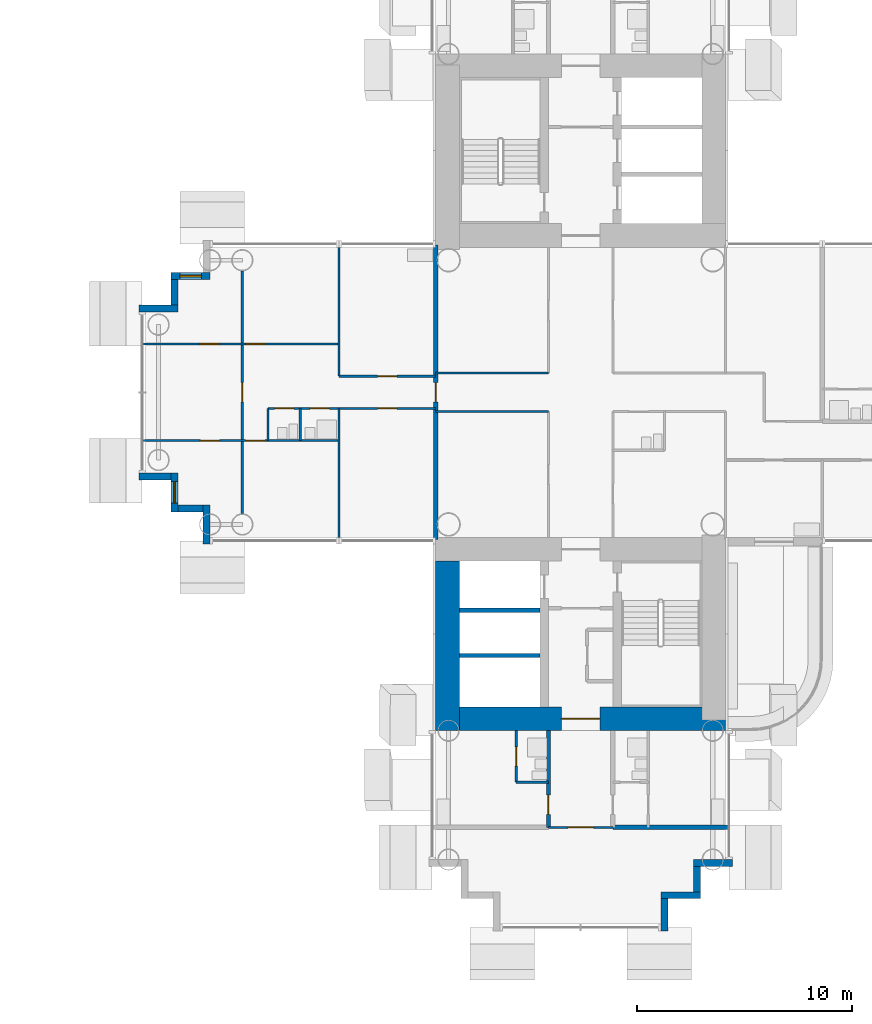
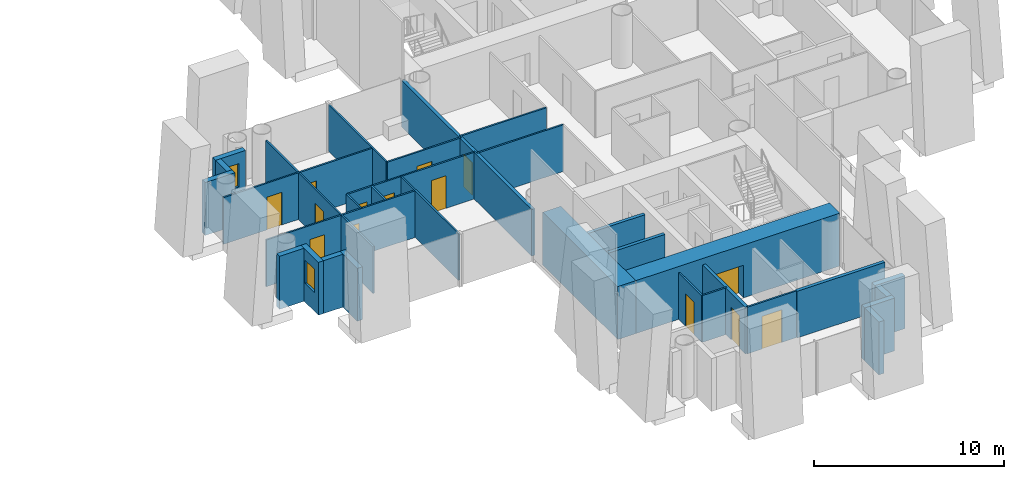
# One storey, part 14 of 25: 32 walls, 14 doors, 2 windows, 16 openings.
"""IFC4 building model written with IfcOpenShell, lengths in metres."""

import ifcopenshell
import ifcopenshell.guid

model = None  # the IFC model being written
_history = None  # IfcOwnerHistory: only IFC2X3 demands one
_inside = {}  # id of a spatial element -> (the spatial element, [elements in it])
_under = {}  # id of a project, library or spatial element -> (it, [spatial elements below it])
_declared = {}  # id of a project -> (the project, [libraries it declares])
_typed = {}  # id of a type object -> (the type object, [elements of that type])
_made_of = {}  # id of a material, layer set ... -> (it, [elements and type objects made of it])


def new_model(schema):
    """Start an empty IFC model of exactly this schema.

    Asked for "IFC4X3", IfcOpenShell would pick the latest addendum, in which some entities
    have other attributes; the version numbers below select the first issue.
    IFC2X3 requires an IfcOwnerHistory on every rooted entity: one is made here for all.
    """
    global model, _history
    if schema == "IFC4X3":
        model = ifcopenshell.file(schema_version=(4, 3, 0, 0))
    else:
        model = ifcopenshell.file(schema=schema)
    _inside.clear()
    _under.clear()
    _declared.clear()
    _typed.clear()
    _made_of.clear()
    _history = None
    if model.schema == "IFC2X3":
        org = make("IfcOrganization", Name="unknown")
        user = make(
            "IfcPersonAndOrganization",
            ThePerson=make("IfcPerson", FamilyName="unknown"),
            TheOrganization=org,
        )
        app = make(
            "IfcApplication",
            ApplicationDeveloper=org,
            Version="unknown",
            ApplicationFullName="unknown",
            ApplicationIdentifier="unknown",
        )
        _history = make(
            "IfcOwnerHistory",
            OwningUser=user,
            OwningApplication=app,
            ChangeAction="ADDED",
            CreationDate=0,
        )
    return model


def make(cls, **values):
    """One entity of the class cls with the attributes given. An attribute that is None is left unset."""
    return model.create_entity(
        cls, **{name: value for name, value in values.items() if value is not None}
    )


def rooted(cls, **values):
    """An entity with a GlobalId (a new one), such as an element, a storey or a relation."""
    return make(cls, GlobalId=ifcopenshell.guid.new(), OwnerHistory=_history, **values)


def si_unit(unit_type, name, prefix=None):
    """IfcSIUnit, for example si_unit("LENGTHUNIT", "METRE", prefix="MILLI")."""
    return make("IfcSIUnit", UnitType=unit_type, Prefix=prefix, Name=name)


def assignment(units):
    """IfcUnitAssignment: the units of a project."""
    return None if units is None else make("IfcUnitAssignment", Units=units)


def point(xyz):
    """IfcCartesianPoint."""
    return None if xyz is None else make("IfcCartesianPoint", Coordinates=xyz)


def direction(xyz):
    """IfcDirection."""
    return None if xyz is None else make("IfcDirection", DirectionRatios=xyz)


def frame(location, z_axis=None, x_axis=None):
    """IfcAxis2Placement3D, a coordinate frame: its origin and axes. An axis left out is left unset."""
    return make(
        "IfcAxis2Placement3D",
        Location=point(location),
        Axis=direction(z_axis),
        RefDirection=direction(x_axis),
    )


def frame_2d(location, x_axis=None):
    """IfcAxis2Placement2D, a coordinate frame in the plane: its origin and x axis."""
    return make(
        "IfcAxis2Placement2D", Location=point(location), RefDirection=direction(x_axis)
    )


def origin():
    """The frame at (0, 0, 0) with its axes left unset."""
    return frame((0.0, 0.0, 0.0))


def place(relative_to, where):
    """IfcLocalPlacement: puts the frame where relative to a parent placement (None: the world)."""
    return make(
        "IfcLocalPlacement", PlacementRelTo=relative_to, RelativePlacement=where
    )


def context(
    kind, dimensions, precision=None, world=None, true_north=None, identifier=None
):
    """IfcGeometricRepresentationContext, for example the 3D "Model" context."""
    return make(
        "IfcGeometricRepresentationContext",
        ContextIdentifier=identifier,
        ContextType=kind,
        CoordinateSpaceDimension=dimensions,
        Precision=precision,
        WorldCoordinateSystem=world,
        TrueNorth=true_north,
    )


def subcontext(parent, identifier, kind, view, scale=None):
    """IfcGeometricRepresentationSubContext, for example "Body" below "Model"."""
    return make(
        "IfcGeometricRepresentationSubContext",
        ContextIdentifier=identifier,
        ContextType=kind,
        ParentContext=parent,
        TargetScale=scale,
        TargetView=view,
    )


def project(units=None, contexts=None):
    """IfcProject with its units and contexts."""
    return rooted(
        "IfcProject",
        Name="project",
        RepresentationContexts=contexts,
        UnitsInContext=assignment(units),
    )


def spatial(cls, under=None, at=None, **own):
    """A site, building, storey or space (cls), placed at a placement, below another one or the project."""
    s = rooted(cls, ObjectPlacement=at, **own)
    if under is not None:
        _under.setdefault(under.id(), (under, []))[1].append(s)
    return s


def profile(cls, at=None, kind="AREA", **sizes):
    """A parametric profile (cls). Its sizes go by their IFC names, for example OverallWidth=200.0."""
    return make(cls, ProfileType=kind, Position=at, **sizes)


def rectangle(**sizes):
    """IfcRectangleProfileDef."""
    return profile("IfcRectangleProfileDef", **sizes)


def extrude(swept, where, along, depth):
    """IfcExtrudedAreaSolid: the profile swept, set in the frame where, extruded along a direction by depth."""
    return make(
        "IfcExtrudedAreaSolid",
        SweptArea=swept,
        Position=where,
        ExtrudedDirection=direction(along),
        Depth=depth,
    )


def shape(context_of_items, identifier, shape_type, items):
    """IfcShapeRepresentation: the items that make up one representation, for example the "Body"."""
    return make(
        "IfcShapeRepresentation",
        ContextOfItems=context_of_items,
        RepresentationIdentifier=identifier,
        RepresentationType=shape_type,
        Items=items,
    )


def material(Name=None, Category=None):
    """IfcMaterial."""
    return make("IfcMaterial", Name=Name, Category=Category)


def layer(
    of_material, thickness, ventilated=None, Name=None, Category=None, Priority=None
):
    """IfcMaterialLayer: one layer of a wall or slab, of a material (None: an air gap)."""
    return make(
        "IfcMaterialLayer",
        Material=of_material,
        LayerThickness=thickness,
        IsVentilated=ventilated,
        Name=Name,
        Category=Category,
        Priority=Priority,
    )


def layer_set(layers, Name=None):
    """IfcMaterialLayerSet."""
    return make("IfcMaterialLayerSet", MaterialLayers=layers, LayerSetName=Name)


def made_of(thing, what):
    """Note that an element or type object is made of a material, layer set ...; save() writes the relation."""
    if what is not None:
        _made_of.setdefault(what.id(), (what, []))[1].append(thing)
    return thing


def type_object(cls, material=None, **own):
    """A type object (cls), such as IfcWallType, which elements share."""
    return made_of(rooted(cls, **own), material)


def element(
    cls,
    number,
    at=None,
    inside=None,
    cuts=None,
    type_object=None,
    material=None,
    context=None,
    identifier="Body",
    shape_type=None,
    held_by="IfcProductDefinitionShape",
    body=None,
    shapes=None,
    **own,
):
    """One element of the class cls, such as IfcWall. Its Tag is "e" and its number.

    at: its placement. inside: the storey or other place that contains it. cuts: it is an
    opening in that element (IfcRelVoidsElement). A single representation is given by context,
    identifier, shape_type and body (its items); several are given by shapes. held_by: the class
    of the entity that holds the representations. save() writes the other relations.
    """
    e = rooted(cls, Tag="e%d" % number, ObjectPlacement=at, **own)
    if body is not None:
        shapes = [shape(context, identifier, shape_type, body)]
    if shapes is not None:
        e.Representation = make(held_by, Representations=shapes)
    if inside is not None:
        _inside.setdefault(inside.id(), (inside, []))[1].append(e)
    if cuts is not None:
        rooted(
            "IfcRelVoidsElement", RelatingBuildingElement=cuts, RelatedOpeningElement=e
        )
    if type_object is not None:
        _typed.setdefault(type_object.id(), (type_object, []))[1].append(e)
    return made_of(e, material)


def fill(opening, filler):
    """IfcRelFillsElement: the door or window that sits in an opening."""
    return rooted(
        "IfcRelFillsElement",
        RelatingOpeningElement=opening,
        RelatedBuildingElement=filler,
    )


def aggregate(whole, parts):
    """IfcRelAggregates: a whole, such as a stair, and the parts it consists of."""
    return rooted("IfcRelAggregates", RelatingObject=whole, RelatedObjects=parts)


def save(model, path):
    """Write the relations noted so far, then the file.

    IfcRelAggregates (storeys below a building ...), IfcRelContainedInSpatialStructure (elements
    in a storey), IfcRelDefinesByType, IfcRelAssociatesMaterial and IfcRelDeclares: one each for
    every whole, place, type object, material and project.
    """
    for whole, parts in _under.values():
        aggregate(whole, parts)
    for where, things in _inside.values():
        rooted(
            "IfcRelContainedInSpatialStructure",
            RelatedElements=things,
            RelatingStructure=where,
        )
    for kind, things in _typed.values():
        rooted("IfcRelDefinesByType", RelatedObjects=things, RelatingType=kind)
    for what, things in _made_of.values():
        rooted("IfcRelAssociatesMaterial", RelatedObjects=things, RelatingMaterial=what)
    for by, libraries in _declared.values():
        rooted("IfcRelDeclares", RelatingContext=by, RelatedDefinitions=libraries)
    model.write(path)


model = new_model("IFC4")

# Units and contexts
model_context = context("Model", 3, precision=1e-05, world=origin(), true_north=direction((0.0, 1.0)))
body_context = subcontext(model_context, "Body", "Model", "MODEL_VIEW")
ifc_project = project(units=[si_unit("LENGTHUNIT", "METRE"), si_unit("AREAUNIT", "SQUARE_METRE"), si_unit("VOLUMEUNIT", "CUBIC_METRE"), si_unit("PLANEANGLEUNIT", "RADIAN"), si_unit("MASSUNIT", "GRAM", prefix="KILO")], contexts=[model_context])

# Site, building, storey
site_placement = place(None, origin())
site = spatial("IfcSite", under=ifc_project, at=site_placement, CompositionType="ELEMENT")
building_placement = place(site_placement, origin())
building = spatial("IfcBuilding", under=site, at=building_placement, Name="Ipe Terrace Towers", CompositionType="ELEMENT")
storey_placement = place(building_placement, frame((0.0, 0.0, 31.300048828125)))
storey = spatial("IfcBuildingStorey", under=building, at=storey_placement, Name="L07", CompositionType="ELEMENT", Elevation=31.300048828125)

# Walls
ifc_material_1 = material(Name="Concrete C40/50 with buff precast cladding", Category="concrete")
ifc_layer_1 = layer(ifc_material_1, 0.320068359375)
ifc_layer_set_1 = layer_set([ifc_layer_1], Name="BUFF CLADDING WALL 320")
wall_type_1 = type_object("IfcWallType", Name="BUFF CLADDING WALL 320", PredefinedType="STANDARD", material=ifc_layer_set_1)
wall_1_placement = place(storey_placement, frame((39.909912109375, -25.070068359375, -0.300048828125), z_axis=(0.0, 0.0, 1.0), x_axis=(0.0, 1.0, 0.0)))
element("IfcWall", 1, at=wall_1_placement, inside=storey, type_object=wall_type_1, Name="T2-W-L07-00a wall", PredefinedType="STANDARD", context=body_context, shape_type="SweptSolid", body=[
    extrude(rectangle(XDim=1.5, YDim=0.320068359375, at=frame_2d((0.75, 0.0))), origin(), (0.0, 0.0, 1.0), 3.39990234375),
])
wall_2_placement = place(storey_placement, frame((39.75, -23.409912109375, -0.300048828125), z_axis=(0.0, 0.0, 1.0), x_axis=(1.0, 0.0, 0.0)))
element("IfcWall", 2, at=wall_2_placement, inside=storey, type_object=wall_type_1, Name="T2-W-L07-01a wall", PredefinedType="STANDARD", context=body_context, shape_type="SweptSolid", body=[
    extrude(rectangle(XDim=1.820068359375, YDim=0.320068359375, at=frame_2d((0.91015625, 0.0))), origin(), (0.0, 0.0, 1.0), 3.39990234375),
])
wall_3_placement = place(storey_placement, frame((41.409912109375, -23.25, -0.300048828125), z_axis=(0.0, 0.0, 1.0), x_axis=(0.0, 1.0, 0.0)))
element("IfcWall", 3, at=wall_3_placement, inside=storey, type_object=wall_type_1, Name="T2-W-L07-02a wall", PredefinedType="STANDARD", context=body_context, shape_type="SweptSolid", body=[
    extrude(rectangle(XDim=1.179931640625, YDim=0.320068359375, at=frame_2d((0.58984375, 0.0))), origin(), (0.0, 0.0, 1.0), 3.39990234375),
])
wall_4_placement = place(storey_placement, frame((41.25, -21.909912109375, -0.300048828125), z_axis=(0.0, 0.0, 1.0), x_axis=(1.0, 0.0, 0.0)))
element("IfcWall", 4, at=wall_4_placement, inside=storey, type_object=wall_type_1, Name="T2-W-L07-03a wall", PredefinedType="STANDARD", context=body_context, shape_type="SweptSolid", body=[
    extrude(rectangle(XDim=1.820068359375, YDim=0.320068359375, at=frame_2d((0.91015625, 0.0))), origin(), (0.0, 0.0, 1.0), 3.39990234375),
])

# Wall, opening, window
wall_5_placement = place(storey_placement, frame((18.75, 5.409912109375, -0.300048828125), z_axis=(0.0, 0.0, 1.0), x_axis=(-1.0, 0.0, 0.0)))
wall_5 = element("IfcWall", 5, at=wall_5_placement, inside=storey, type_object=wall_type_1, Name="T2-W-L07-35a wall", PredefinedType="STANDARD", context=body_context, shape_type="SweptSolid", body=[
    extrude(rectangle(XDim=1.820068359375, YDim=0.320068359375, at=frame_2d((0.91015625, 0.0))), origin(), (0.0, 0.0, 1.0), 3.39990234375),
])
opening_1_placement = place(wall_5_placement, frame((0.409912109375, 0.0, 1.199951171875)))
opening_1 = element("IfcOpeningElement", 6, at=opening_1_placement, cuts=wall_5, Name="Opening T2-W-05-L07-02", PredefinedType="OPENING", context=body_context, shape_type="SweptSolid", body=[
    extrude(rectangle(XDim=1.0, YDim=1.5, at=frame_2d((0.5, 0.75))), frame((0.0, 0.169921875, 0.0), z_axis=(0.0, -1.0, 0.0), x_axis=(1.0, 0.0, 0.0)), (0.0, 0.0, 1.0), 0.340087890625),
])
ifc_material_2 = material(Name="Glass, clear laminated", Category="glass")
window_type = type_object("IfcWindowType", Name="DWELLING WINDOW 1000 x 1500", PartitioningType="SINGLE_PANEL", PredefinedType="WINDOW", material=ifc_material_2)
window_1_placement = place(opening_1_placement, origin())
window_1 = element("IfcWindow", 7, at=window_1_placement, inside=storey, type_object=window_type, Name="W-05 window", OverallHeight=1.5, OverallWidth=1.0, PartitioningType="SINGLE_PANEL", PredefinedType="WINDOW", context=body_context, shape_type="SweptSolid", body=[
    extrude(rectangle(XDim=1.0, YDim=1.5, at=frame_2d((0.5, 0.75))), frame((0.0, 0.030029296875, 0.0), z_axis=(0.0, -1.0, 0.0), x_axis=(1.0, 0.0, 0.0)), (0.0, 0.0, 1.0), 0.06005859375),
])
fill(opening_1, window_1)

# Walls
wall_6_placement = place(storey_placement, frame((17.090087890625, 5.25, -0.300048828125), z_axis=(0.0, 0.0, 1.0), x_axis=(0.0, -1.0, 0.0)))
element("IfcWall", 8, at=wall_6_placement, inside=storey, type_object=wall_type_1, Name="T2-W-L07-36a wall", PredefinedType="STANDARD", context=body_context, shape_type="SweptSolid", body=[
    extrude(rectangle(XDim=1.179931640625, YDim=0.320068359375, at=frame_2d((0.58984375, 0.0))), origin(), (0.0, 0.0, 1.0), 3.39990234375),
])
wall_7_placement = place(storey_placement, frame((17.25, 3.909912109375, -0.300048828125), z_axis=(0.0, 0.0, 1.0), x_axis=(-1.0, 0.0, 0.0)))
element("IfcWall", 9, at=wall_7_placement, inside=storey, type_object=wall_type_1, Name="T2-W-L07-37a wall", PredefinedType="STANDARD", context=body_context, shape_type="SweptSolid", body=[
    extrude(rectangle(XDim=1.820068359375, YDim=0.320068359375, at=frame_2d((0.91015625, 0.0))), origin(), (0.0, 0.0, 1.0), 3.39990234375),
])
wall_8_placement = place(storey_placement, frame((15.429931640625, -3.909912109375, -0.300048828125), z_axis=(0.0, 0.0, 1.0), x_axis=(1.0, 0.0, 0.0)))
element("IfcWall", 10, at=wall_8_placement, inside=storey, type_object=wall_type_1, Name="T2-W-L07-39a wall", PredefinedType="STANDARD", context=body_context, shape_type="SweptSolid", body=[
    extrude(rectangle(XDim=1.5, YDim=0.320068359375, at=frame_2d((0.75, 0.0))), origin(), (0.0, 0.0, 1.0), 3.39990234375),
])

# Wall, opening, window
wall_9_placement = place(storey_placement, frame((17.090087890625, -3.75, -0.300048828125), z_axis=(0.0, 0.0, 1.0), x_axis=(0.0, -1.0, 0.0)))
wall_9 = element("IfcWall", 11, at=wall_9_placement, inside=storey, type_object=wall_type_1, Name="T2-W-L07-40a wall", PredefinedType="STANDARD", context=body_context, shape_type="SweptSolid", body=[
    extrude(rectangle(XDim=1.820068359375, YDim=0.320068359375, at=frame_2d((0.91015625, 0.0))), origin(), (0.0, 0.0, 1.0), 3.39990234375),
])
opening_2_placement = place(wall_9_placement, frame((0.409912109375, 0.0, 1.199951171875)))
opening_2 = element("IfcOpeningElement", 12, at=opening_2_placement, cuts=wall_9, Name="Opening T2-W-05-L07-01", PredefinedType="OPENING", context=body_context, shape_type="SweptSolid", body=[
    extrude(rectangle(XDim=1.0, YDim=1.5, at=frame_2d((0.5, 0.75))), frame((0.0, 0.169921875, 0.0), z_axis=(0.0, -1.0, 0.0), x_axis=(1.0, 0.0, 0.0)), (0.0, 0.0, 1.0), 0.340087890625),
])
window_2_placement = place(opening_2_placement, origin())
window_2 = element("IfcWindow", 13, at=window_2_placement, inside=storey, type_object=window_type, Name="W-05 window", OverallHeight=1.5, OverallWidth=1.0, PartitioningType="SINGLE_PANEL", PredefinedType="WINDOW", context=body_context, shape_type="SweptSolid", body=[
    extrude(rectangle(XDim=1.0, YDim=1.5, at=frame_2d((0.5, 0.75))), frame((0.0, 0.030029296875, 0.0), z_axis=(0.0, -1.0, 0.0), x_axis=(1.0, 0.0, 0.0)), (0.0, 0.0, 1.0), 0.06005859375),
])
fill(opening_2, window_2)

# Walls
wall_10_placement = place(storey_placement, frame((17.25, -5.409912109375, -0.300048828125), z_axis=(0.0, 0.0, 1.0), x_axis=(1.0, 0.0, 0.0)))
element("IfcWall", 14, at=wall_10_placement, inside=storey, type_object=wall_type_1, Name="T2-W-L07-41a wall", PredefinedType="STANDARD", context=body_context, shape_type="SweptSolid", body=[
    extrude(rectangle(XDim=1.179931640625, YDim=0.320068359375, at=frame_2d((0.58984375, 0.0))), origin(), (0.0, 0.0, 1.0), 3.39990234375),
])
wall_11_placement = place(storey_placement, frame((18.590087890625, -5.25, -0.300048828125), z_axis=(0.0, 0.0, 1.0), x_axis=(0.0, -1.0, 0.0)))
element("IfcWall", 15, at=wall_11_placement, inside=storey, type_object=wall_type_1, Name="T2-W-L07-42a wall", PredefinedType="STANDARD", context=body_context, shape_type="SweptSolid", body=[
    extrude(rectangle(XDim=1.820068359375, YDim=0.320068359375, at=frame_2d((0.91015625, 0.0))), origin(), (0.0, 0.0, 1.0), 3.39990234375),
])

# Wall, opening, door
ifc_material_3 = material(Name="Gypsum board partition", Category="plasterboard")
ifc_layer_2 = layer(ifc_material_3, 0.10009765625)
ifc_layer_set_2 = layer_set([ifc_layer_2], Name="Gypsum board partition 100 mm")
wall_type_2 = type_object("IfcWallType", Name="Gypsum board partition 100 mm", PredefinedType="PARTITIONING", material=ifc_layer_set_2)
wall_12_placement = place(storey_placement, frame((37.5, -20.25, 0.0), z_axis=(0.0, 0.0, 1.0), x_axis=(-1.0, 0.0, 0.0)))
wall_12 = element("IfcWall", 16, at=wall_12_placement, inside=storey, type_object=wall_type_2, Name="Gypsum board partition T2 L07 W01", PredefinedType="PARTITIONING", context=body_context, shape_type="SweptSolid", body=[
    extrude(rectangle(XDim=3.0, YDim=0.10009765625, at=frame_2d((1.5, 0.0))), origin(), (0.0, 0.0, 1.0), 3.0),
])
opening_3_placement = place(wall_12_placement, frame((0.89990234375, 0.0, 0.0)))
opening_3 = element("IfcOpeningElement", 17, at=opening_3_placement, cuts=wall_12, Name="Opening T2-Z1A-34", PredefinedType="OPENING", context=body_context, shape_type="SweptSolid", body=[
    extrude(rectangle(XDim=1.199951171875, YDim=2.10009765625, at=frame_2d((0.60009765625, 1.050048828125))), frame((0.0, 0.06005859375, 0.0), z_axis=(0.0, -1.0, 0.0), x_axis=(1.0, 0.0, 0.0)), (0.0, 0.0, 1.0), 0.1201171875),
])
ifc_material_4 = material(Name="Timber door leaf", Category="wood")
door_type_1 = type_object("IfcDoorType", Name="Lounge door 1200 x 2100", OperationType="NOTDEFINED", PredefinedType="DOOR", material=ifc_material_4)
door_1_placement = place(opening_3_placement, origin())
door_1 = element("IfcDoor", 18, at=door_1_placement, inside=storey, type_object=door_type_1, Name="Lounge door T2-Z1A-34", OperationType="SINGLE_SWING_LEFT", OverallHeight=2.10009765625, OverallWidth=1.199951171875, PredefinedType="DOOR", context=body_context, shape_type="SweptSolid", body=[
    extrude(rectangle(XDim=1.199951171875, YDim=2.10009765625, at=frame_2d((0.60009765625, 1.050048828125))), frame((0.0, 0.02490234375, 0.0), z_axis=(0.0, -1.0, 0.0), x_axis=(1.0, 0.0, 0.0)), (0.0, 0.0, 1.0), 0.050048828125),
])
fill(opening_3, door_1)

# Wall
wall_13_placement = place(storey_placement, frame((34.5, -18.14990234375, 0.0), z_axis=(0.0, 0.0, 1.0), x_axis=(-1.0, 0.0, 0.0)))
element("IfcWall", 19, at=wall_13_placement, inside=storey, type_object=wall_type_2, Name="Gypsum board partition T2 L07 W05", PredefinedType="PARTITIONING", context=body_context, shape_type="SweptSolid", body=[
    extrude(rectangle(XDim=1.5, YDim=0.10009765625, at=frame_2d((0.75, 0.0))), origin(), (0.0, 0.0, 1.0), 3.0),
])

# Wall, openings, doors
wall_14_placement = place(storey_placement, frame((24.75, -2.25, 0.0), z_axis=(0.0, 0.0, 1.0), x_axis=(-1.0, 0.0, 0.0)))
wall_14 = element("IfcWall", 20, at=wall_14_placement, inside=storey, type_object=wall_type_2, Name="Gypsum board partition T2 L07 W08", PredefinedType="PARTITIONING", context=body_context, shape_type="SweptSolid", body=[
    extrude(rectangle(XDim=9.10009765625, YDim=0.10009765625, at=frame_2d((4.550048828125, 0.0))), origin(), (0.0, 0.0, 1.0), 3.0),
])
opening_4_placement = place(wall_14_placement, frame((3.449951171875, 0.0, 0.0)))
opening_4 = element("IfcOpeningElement", 21, at=opening_4_placement, cuts=wall_14, Name="Opening T2-Z1A-11", PredefinedType="OPENING", context=body_context, shape_type="SweptSolid", body=[
    extrude(rectangle(XDim=0.89990234375, YDim=2.10009765625, at=frame_2d((0.449951171875, 1.050048828125))), frame((0.0, 0.06005859375, 0.0), z_axis=(0.0, -1.0, 0.0), x_axis=(1.0, 0.0, 0.0)), (0.0, 0.0, 1.0), 0.1201171875),
])
opening_5_placement = place(wall_14_placement, frame((5.550048828125, 0.0, 0.0)))
opening_5 = element("IfcOpeningElement", 22, at=opening_5_placement, cuts=wall_14, Name="Opening T2-Z1A-14", PredefinedType="OPENING", context=body_context, shape_type="SweptSolid", body=[
    extrude(rectangle(XDim=0.89990234375, YDim=2.10009765625, at=frame_2d((0.449951171875, 1.050048828125))), frame((0.0, 0.06005859375, 0.0), z_axis=(0.0, -1.0, 0.0), x_axis=(1.0, 0.0, 0.0)), (0.0, 0.0, 1.0), 0.1201171875),
])
ifc_material_5 = material(Name="Timber door leaf", Category="wood")
door_type_2 = type_object("IfcDoorType", Name="Bedroom door 900 x 2100", OperationType="NOTDEFINED", PredefinedType="DOOR", material=ifc_material_5)
door_2_placement = place(opening_4_placement, origin())
door_2 = element("IfcDoor", 23, at=door_2_placement, inside=storey, type_object=door_type_2, Name="Bedroom door T2-Z1A-11", OperationType="SINGLE_SWING_RIGHT", OverallHeight=2.10009765625, OverallWidth=0.89990234375, PredefinedType="DOOR", context=body_context, shape_type="SweptSolid", body=[
    extrude(rectangle(XDim=0.89990234375, YDim=2.10009765625, at=frame_2d((0.449951171875, 1.050048828125))), frame((0.0, 0.02490234375, 0.0), z_axis=(0.0, -1.0, 0.0), x_axis=(1.0, 0.0, 0.0)), (0.0, 0.0, 1.0), 0.050048828125),
])
fill(opening_4, door_2)
door_3_placement = place(opening_5_placement, origin())
door_3 = element("IfcDoor", 24, at=door_3_placement, inside=storey, type_object=door_type_2, Name="Bedroom door T2-Z1A-14", OperationType="SINGLE_SWING_LEFT", OverallHeight=2.10009765625, OverallWidth=0.89990234375, PredefinedType="DOOR", context=body_context, shape_type="SweptSolid", body=[
    extrude(rectangle(XDim=0.89990234375, YDim=2.10009765625, at=frame_2d((0.449951171875, 1.050048828125))), frame((0.0, 0.02490234375, 0.0), z_axis=(0.0, -1.0, 0.0), x_axis=(1.0, 0.0, 0.0)), (0.0, 0.0, 1.0), 0.050048828125),
])
fill(opening_5, door_3)

# Wall
wall_15_placement = place(storey_placement, frame((34.5, -0.89990234375, 0.0), z_axis=(0.0, 0.0, 1.0), x_axis=(-1.0, 0.0, 0.0)))
element("IfcWall", 25, at=wall_15_placement, inside=storey, type_object=wall_type_2, Name="Gypsum board partition T2 L07 W12", PredefinedType="PARTITIONING", context=body_context, shape_type="SweptSolid", body=[
    extrude(rectangle(XDim=5.25, YDim=0.10009765625, at=frame_2d((2.625, 0.0))), origin(), (0.0, 0.0, 1.0), 3.0),
])

# Wall, openings, doors
wall_16_placement = place(storey_placement, frame((29.25, -0.75, 0.0), z_axis=(0.0, 0.0, 1.0), x_axis=(-1.0, 0.0, 0.0)))
wall_16 = element("IfcWall", 26, at=wall_16_placement, inside=storey, type_object=wall_type_2, Name="Gypsum board partition T2 L07 W13", PredefinedType="PARTITIONING", context=body_context, shape_type="SweptSolid", body=[
    extrude(rectangle(XDim=7.800048828125, YDim=0.10009765625, at=frame_2d((3.89990234375, 0.0))), origin(), (0.0, 0.0, 1.0), 3.0),
])
opening_6_placement = place(wall_16_placement, frame((1.800048828125, 0.0, 0.0)))
opening_6 = element("IfcOpeningElement", 27, at=opening_6_placement, cuts=wall_16, Name="Opening T2-Z1A-06", PredefinedType="OPENING", context=body_context, shape_type="SweptSolid", body=[
    extrude(rectangle(XDim=0.89990234375, YDim=2.10009765625, at=frame_2d((0.449951171875, 1.050048828125))), frame((0.0, 0.06005859375, 0.0), z_axis=(0.0, -1.0, 0.0), x_axis=(1.0, 0.0, 0.0)), (0.0, 0.0, 1.0), 0.1201171875),
])
opening_7_placement = place(wall_16_placement, frame((4.949951171875, 0.0, 0.0)))
opening_7 = element("IfcOpeningElement", 28, at=opening_7_placement, cuts=wall_16, Name="Opening T2-Z1A-09", PredefinedType="OPENING", context=body_context, shape_type="SweptSolid", body=[
    extrude(rectangle(XDim=0.89990234375, YDim=2.10009765625, at=frame_2d((0.449951171875, 1.050048828125))), frame((0.0, 0.06005859375, 0.0), z_axis=(0.0, -1.0, 0.0), x_axis=(1.0, 0.0, 0.0)), (0.0, 0.0, 1.0), 0.1201171875),
])
opening_8_placement = place(wall_16_placement, frame((6.60009765625, 0.0, 0.0)))
opening_8 = element("IfcOpeningElement", 29, at=opening_8_placement, cuts=wall_16, Name="Opening T2-Z1A-10", PredefinedType="OPENING", context=body_context, shape_type="SweptSolid", body=[
    extrude(rectangle(XDim=0.89990234375, YDim=2.10009765625, at=frame_2d((0.449951171875, 1.050048828125))), frame((0.0, 0.06005859375, 0.0), z_axis=(0.0, -1.0, 0.0), x_axis=(1.0, 0.0, 0.0)), (0.0, 0.0, 1.0), 0.1201171875),
])
ifc_material_6 = material(Name="Timber door leaf", Category="wood")
door_type_3 = type_object("IfcDoorType", Name="Bathroom door 900 x 2100", OperationType="NOTDEFINED", PredefinedType="DOOR", material=ifc_material_6)
door_4_placement = place(opening_7_placement, origin())
door_4 = element("IfcDoor", 30, at=door_4_placement, inside=storey, type_object=door_type_3, Name="Bathroom door T2-Z1A-09", OperationType="SINGLE_SWING_LEFT", OverallHeight=2.10009765625, OverallWidth=0.89990234375, PredefinedType="DOOR", context=body_context, shape_type="SweptSolid", body=[
    extrude(rectangle(XDim=0.89990234375, YDim=2.10009765625, at=frame_2d((0.449951171875, 1.050048828125))), frame((0.0, 0.02490234375, 0.0), z_axis=(0.0, -1.0, 0.0), x_axis=(1.0, 0.0, 0.0)), (0.0, 0.0, 1.0), 0.050048828125),
])
fill(opening_7, door_4)
door_5_placement = place(opening_8_placement, origin())
door_5 = element("IfcDoor", 31, at=door_5_placement, inside=storey, type_object=door_type_3, Name="Bathroom door T2-Z1A-10", OperationType="SINGLE_SWING_LEFT", OverallHeight=2.10009765625, OverallWidth=0.89990234375, PredefinedType="DOOR", context=body_context, shape_type="SweptSolid", body=[
    extrude(rectangle(XDim=0.89990234375, YDim=2.10009765625, at=frame_2d((0.449951171875, 1.050048828125))), frame((0.0, 0.02490234375, 0.0), z_axis=(0.0, -1.0, 0.0), x_axis=(1.0, 0.0, 0.0)), (0.0, 0.0, 1.0), 0.050048828125),
])
fill(opening_8, door_5)
ifc_material_7 = material(Name="Timber door leaf", Category="wood")
door_type_4 = type_object("IfcDoorType", Name="Lounge door 900 x 2100", OperationType="NOTDEFINED", PredefinedType="DOOR", material=ifc_material_7)
door_6_placement = place(opening_6_placement, origin())
door_6 = element("IfcDoor", 32, at=door_6_placement, inside=storey, type_object=door_type_4, Name="Lounge door T2-Z1A-06", OperationType="SINGLE_SWING_RIGHT", OverallHeight=2.10009765625, OverallWidth=0.89990234375, PredefinedType="DOOR", context=body_context, shape_type="SweptSolid", body=[
    extrude(rectangle(XDim=0.89990234375, YDim=2.10009765625, at=frame_2d((0.449951171875, 1.050048828125))), frame((0.0, 0.02490234375, 0.0), z_axis=(0.0, -1.0, 0.0), x_axis=(1.0, 0.0, 0.0)), (0.0, 0.0, 1.0), 0.050048828125),
])
fill(opening_6, door_6)

# Wall, opening, door
wall_17_placement = place(storey_placement, frame((29.25, 0.75, 0.0), z_axis=(0.0, 0.0, 1.0), x_axis=(-1.0, 0.0, 0.0)))
wall_17 = element("IfcWall", 33, at=wall_17_placement, inside=storey, type_object=wall_type_2, Name="Gypsum board partition T2 L07 W15", PredefinedType="PARTITIONING", context=body_context, shape_type="SweptSolid", body=[
    extrude(rectangle(XDim=4.5, YDim=0.10009765625, at=frame_2d((2.25, 0.0))), origin(), (0.0, 0.0, 1.0), 3.0),
])
opening_9_placement = place(wall_17_placement, frame((1.800048828125, 0.0, 0.0)))
opening_9 = element("IfcOpeningElement", 34, at=opening_9_placement, cuts=wall_17, Name="Opening T2-Z1A-07", PredefinedType="OPENING", context=body_context, shape_type="SweptSolid", body=[
    extrude(rectangle(XDim=0.89990234375, YDim=2.10009765625, at=frame_2d((0.449951171875, 1.050048828125))), frame((0.0, 0.06005859375, 0.0), z_axis=(0.0, -1.0, 0.0), x_axis=(1.0, 0.0, 0.0)), (0.0, 0.0, 1.0), 0.1201171875),
])
door_7_placement = place(opening_9_placement, origin())
door_7 = element("IfcDoor", 35, at=door_7_placement, inside=storey, type_object=door_type_4, Name="Lounge door T2-Z1A-07", OperationType="SINGLE_SWING_RIGHT", OverallHeight=2.10009765625, OverallWidth=0.89990234375, PredefinedType="DOOR", context=body_context, shape_type="SweptSolid", body=[
    extrude(rectangle(XDim=0.89990234375, YDim=2.10009765625, at=frame_2d((0.449951171875, 1.050048828125))), frame((0.0, 0.02490234375, 0.0), z_axis=(0.0, -1.0, 0.0), x_axis=(1.0, 0.0, 0.0)), (0.0, 0.0, 1.0), 0.050048828125),
])
fill(opening_9, door_7)

# Wall
wall_18_placement = place(storey_placement, frame((34.5, 0.89990234375, 0.0), z_axis=(0.0, 0.0, 1.0), x_axis=(-1.0, 0.0, 0.0)))
element("IfcWall", 36, at=wall_18_placement, inside=storey, type_object=wall_type_2, Name="Gypsum board partition T2 L07 W17", PredefinedType="PARTITIONING", context=body_context, shape_type="SweptSolid", body=[
    extrude(rectangle(XDim=5.25, YDim=0.10009765625, at=frame_2d((2.625, 0.0))), origin(), (0.0, 0.0, 1.0), 3.0),
])

# Wall, openings, doors
wall_19_placement = place(storey_placement, frame((24.75, 2.25, 0.0), z_axis=(0.0, 0.0, 1.0), x_axis=(-1.0, 0.0, 0.0)))
wall_19 = element("IfcWall", 37, at=wall_19_placement, inside=storey, type_object=wall_type_2, Name="Gypsum board partition T2 L07 W18", PredefinedType="PARTITIONING", context=body_context, shape_type="SweptSolid", body=[
    extrude(rectangle(XDim=9.10009765625, YDim=0.10009765625, at=frame_2d((4.550048828125, 0.0))), origin(), (0.0, 0.0, 1.0), 3.0),
])
opening_10_placement = place(wall_19_placement, frame((3.449951171875, 0.0, 0.0)))
opening_10 = element("IfcOpeningElement", 38, at=opening_10_placement, cuts=wall_19, Name="Opening T2-Z1A-12", PredefinedType="OPENING", context=body_context, shape_type="SweptSolid", body=[
    extrude(rectangle(XDim=0.89990234375, YDim=2.10009765625, at=frame_2d((0.449951171875, 1.050048828125))), frame((0.0, 0.06005859375, 0.0), z_axis=(0.0, -1.0, 0.0), x_axis=(1.0, 0.0, 0.0)), (0.0, 0.0, 1.0), 0.1201171875),
])
opening_11_placement = place(wall_19_placement, frame((5.550048828125, 0.0, 0.0)))
opening_11 = element("IfcOpeningElement", 39, at=opening_11_placement, cuts=wall_19, Name="Opening T2-Z1A-15", PredefinedType="OPENING", context=body_context, shape_type="SweptSolid", body=[
    extrude(rectangle(XDim=0.89990234375, YDim=2.10009765625, at=frame_2d((0.449951171875, 1.050048828125))), frame((0.0, 0.06005859375, 0.0), z_axis=(0.0, -1.0, 0.0), x_axis=(1.0, 0.0, 0.0)), (0.0, 0.0, 1.0), 0.1201171875),
])
door_8_placement = place(opening_10_placement, origin())
door_8 = element("IfcDoor", 40, at=door_8_placement, inside=storey, type_object=door_type_2, Name="Bedroom door T2-Z1A-12", OperationType="SINGLE_SWING_LEFT", OverallHeight=2.10009765625, OverallWidth=0.89990234375, PredefinedType="DOOR", context=body_context, shape_type="SweptSolid", body=[
    extrude(rectangle(XDim=0.89990234375, YDim=2.10009765625, at=frame_2d((0.449951171875, 1.050048828125))), frame((0.0, 0.02490234375, 0.0), z_axis=(0.0, -1.0, 0.0), x_axis=(1.0, 0.0, 0.0)), (0.0, 0.0, 1.0), 0.050048828125),
])
fill(opening_10, door_8)
door_9_placement = place(opening_11_placement, origin())
door_9 = element("IfcDoor", 41, at=door_9_placement, inside=storey, type_object=door_type_2, Name="Bedroom door T2-Z1A-15", OperationType="SINGLE_SWING_RIGHT", OverallHeight=2.10009765625, OverallWidth=0.89990234375, PredefinedType="DOOR", context=body_context, shape_type="SweptSolid", body=[
    extrude(rectangle(XDim=0.89990234375, YDim=2.10009765625, at=frame_2d((0.449951171875, 1.050048828125))), frame((0.0, 0.02490234375, 0.0), z_axis=(0.0, -1.0, 0.0), x_axis=(1.0, 0.0, 0.0)), (0.0, 0.0, 1.0), 0.050048828125),
])
fill(opening_11, door_9)

# Wall, opening, door
wall_20_placement = place(storey_placement, frame((33.0, -18.14990234375, 0.0), z_axis=(0.0, 0.0, 1.0), x_axis=(0.0, 1.0, 0.0)))
wall_20 = element("IfcWall", 42, at=wall_20_placement, inside=storey, type_object=wall_type_2, Name="Gypsum board partition T2 L07 W43", PredefinedType="PARTITIONING", context=body_context, shape_type="SweptSolid", body=[
    extrude(rectangle(XDim=2.39990234375, YDim=0.10009765625, at=frame_2d((1.199951171875, 0.0))), origin(), (0.0, 0.0, 1.0), 3.0),
])
opening_12_placement = place(wall_20_placement, frame((0.75, 0.0, 0.0)))
opening_12 = element("IfcOpeningElement", 43, at=opening_12_placement, cuts=wall_20, Name="Opening T2-Z1A-33", PredefinedType="OPENING", context=body_context, shape_type="SweptSolid", body=[
    extrude(rectangle(XDim=0.89990234375, YDim=2.10009765625, at=frame_2d((0.449951171875, 1.050048828125))), frame((0.0, 0.06005859375, 0.0), z_axis=(0.0, -1.0, 0.0), x_axis=(1.0, 0.0, 0.0)), (0.0, 0.0, 1.0), 0.1201171875),
])
door_10_placement = place(opening_12_placement, origin())
door_10 = element("IfcDoor", 44, at=door_10_placement, inside=storey, type_object=door_type_3, Name="Bathroom door T2-Z1A-33", OperationType="SINGLE_SWING_RIGHT", OverallHeight=2.10009765625, OverallWidth=0.89990234375, PredefinedType="DOOR", context=body_context, shape_type="SweptSolid", body=[
    extrude(rectangle(XDim=0.89990234375, YDim=2.10009765625, at=frame_2d((0.449951171875, 1.050048828125))), frame((0.0, 0.02490234375, 0.0), z_axis=(0.0, -1.0, 0.0), x_axis=(1.0, 0.0, 0.0)), (0.0, 0.0, 1.0), 0.050048828125),
])
fill(opening_12, door_10)

# Walls
for number, where, z_axis, x_axis, name in (
    (45, (24.75, -6.85009765625, 0.0), (0.0, 0.0, 1.0), (0.0, 1.0, 0.0), "Gypsum board partition T2 L07 W46"),
    (46, (24.75, 0.75, 0.0), (0.0, 0.0, 1.0), (0.0, 1.0, 0.0), "Gypsum board partition T2 L07 W47"),
):
    element("IfcWall", number, at=place(storey_placement, frame(where, z_axis=z_axis, x_axis=x_axis)), inside=storey, type_object=wall_type_2, Name=name, PredefinedType="PARTITIONING", context=body_context, shape_type="SweptSolid", body=[
        extrude(rectangle(XDim=6.10009765625, YDim=0.10009765625, at=frame_2d((3.050048828125, 0.0))), origin(), (0.0, 0.0, 1.0), 3.0),
    ])
for number, where, z_axis, x_axis, name in (
    (47, (22.949951171875, -2.25, 0.0), (0.0, 0.0, 1.0), (0.0, 1.0, 0.0), "Gypsum board partition T2 L07 W48"),
    (48, (21.449951171875, -2.25, 0.0), (0.0, 0.0, 1.0), (0.0, 1.0, 0.0), "Gypsum board partition T2 L07 W49"),
):
    element("IfcWall", number, at=place(storey_placement, frame(where, z_axis=z_axis, x_axis=x_axis)), inside=storey, type_object=wall_type_2, Name=name, PredefinedType="PARTITIONING", context=body_context, shape_type="SweptSolid", body=[
        extrude(rectangle(XDim=1.5, YDim=0.10009765625, at=frame_2d((0.75, 0.0))), origin(), (0.0, 0.0, 1.0), 3.0),
    ])

# Wall, opening, door
wall_21_placement = place(storey_placement, frame((20.25, -5.64990234375, 0.0), z_axis=(0.0, 0.0, 1.0), x_axis=(0.0, 1.0, 0.0)))
wall_21 = element("IfcWall", 49, at=wall_21_placement, inside=storey, type_object=wall_type_2, Name="Gypsum board partition T2 L07 W50", PredefinedType="PARTITIONING", context=body_context, shape_type="SweptSolid", body=[
    extrude(rectangle(XDim=11.2998046875, YDim=0.10009765625, at=frame_2d((5.64990234375, 0.0))), origin(), (0.0, 0.0, 1.0), 3.0),
])
opening_13_placement = place(wall_21_placement, frame((5.199951171875, 0.0, 0.0)))
opening_13 = element("IfcOpeningElement", 50, at=opening_13_placement, cuts=wall_21, Name="Opening T2-Z1A-13", PredefinedType="OPENING", context=body_context, shape_type="SweptSolid", body=[
    extrude(rectangle(XDim=0.89990234375, YDim=2.10009765625, at=frame_2d((0.449951171875, 1.050048828125))), frame((0.0, 0.06005859375, 0.0), z_axis=(0.0, -1.0, 0.0), x_axis=(1.0, 0.0, 0.0)), (0.0, 0.0, 1.0), 0.1201171875),
])
door_11_placement = place(opening_13_placement, origin())
door_11 = element("IfcDoor", 51, at=door_11_placement, inside=storey, type_object=door_type_4, Name="Lounge door T2-Z1A-13", OperationType="SINGLE_SWING_LEFT", OverallHeight=2.10009765625, OverallWidth=0.89990234375, PredefinedType="DOOR", context=body_context, shape_type="SweptSolid", body=[
    extrude(rectangle(XDim=0.89990234375, YDim=2.10009765625, at=frame_2d((0.449951171875, 1.050048828125))), frame((0.0, 0.02490234375, 0.0), z_axis=(0.0, -1.0, 0.0), x_axis=(1.0, 0.0, 0.0)), (0.0, 0.0, 1.0), 0.050048828125),
])
fill(opening_13, door_11)

# Walls
ifc_material_8 = material(Name="Gypsum board party wall", Category="plasterboard")
ifc_layer_3 = layer(ifc_material_8, 0.199951171875)
ifc_layer_set_3 = layer_set([ifc_layer_3], Name="Gypsum board party wall 200 mm")
wall_type_3 = type_object("IfcWallType", Name="Gypsum board party wall 200 mm", PredefinedType="SOLIDWALL", material=ifc_layer_set_3)
for number, where, z_axis, x_axis, name in (
    (52, (30.35009765625, -10.14990234375, 0.0), (0.0, 0.0, 1.0), (1.0, 0.0, 0.0), "Gypsum board party wall T2 L07 t2c2-shaft-div1"),
    (53, (30.35009765625, -12.25, 0.0), (0.0, 0.0, 1.0), (1.0, 0.0, 0.0), "Gypsum board party wall T2 L07 t2c2-shaft-div2"),
):
    element("IfcWall", number, at=place(storey_placement, frame(where, z_axis=z_axis, x_axis=x_axis)), inside=storey, type_object=wall_type_3, Name=name, PredefinedType="SOLIDWALL", context=body_context, shape_type="SweptSolid", body=[
        extrude(rectangle(XDim=3.75, YDim=0.199951171875, at=frame_2d((1.875, 0.0))), origin(), (0.0, 0.0, 1.0), 3.0),
    ])
wall_22_placement = place(storey_placement, frame((42.85009765625, -20.25, 0.0), z_axis=(0.0, 0.0, 1.0), x_axis=(-1.0, 0.0, 0.0)))
element("IfcWall", 54, at=wall_22_placement, inside=storey, type_object=wall_type_3, Name="Gypsum board party wall T2 L07 W02", PredefinedType="SOLIDWALL", context=body_context, shape_type="SweptSolid", body=[
    extrude(rectangle(XDim=5.35009765625, YDim=0.199951171875, at=frame_2d((2.675048828125, 0.0))), origin(), (0.0, 0.0, 1.0), 3.0),
])

# Wall, opening, door
wall_23_placement = place(storey_placement, frame((34.5, -20.25, 0.0), z_axis=(0.0, 0.0, 1.0), x_axis=(0.0, 1.0, 0.0)))
wall_23 = element("IfcWall", 55, at=wall_23_placement, inside=storey, type_object=wall_type_3, Name="Gypsum board party wall T2 L07 W41", PredefinedType="SOLIDWALL", context=body_context, shape_type="SweptSolid", body=[
    extrude(rectangle(XDim=4.5, YDim=0.199951171875, at=frame_2d((2.25, 0.0))), origin(), (0.0, 0.0, 1.0), 3.0),
])
opening_14_placement = place(wall_23_placement, frame((0.60009765625, 0.0, 0.0)))
opening_14 = element("IfcOpeningElement", 56, at=opening_14_placement, cuts=wall_23, Name="Opening T2-Z1A-32", PredefinedType="OPENING", context=body_context, shape_type="SweptSolid", body=[
    extrude(rectangle(XDim=0.89990234375, YDim=2.10009765625, at=frame_2d((0.449951171875, 1.050048828125))), frame((0.0, 0.10986328125, 0.0), z_axis=(0.0, -1.0, 0.0), x_axis=(1.0, 0.0, 0.0)), (0.0, 0.0, 1.0), 0.219970703125),
])
ifc_material_9 = material(Name="Fire-rated timber door leaf", Category="wood")
door_type_5 = type_object("IfcDoorType", Name="Flat entrance door 900 x 2100 FD30S", OperationType="NOTDEFINED", PredefinedType="DOOR", material=ifc_material_9)
door_12_placement = place(opening_14_placement, origin())
door_12 = element("IfcDoor", 57, at=door_12_placement, inside=storey, type_object=door_type_5, Name="Flat entrance door T2-Z1A-32", OperationType="SINGLE_SWING_RIGHT", OverallHeight=2.10009765625, OverallWidth=0.89990234375, PredefinedType="DOOR", context=body_context, shape_type="SweptSolid", body=[
    extrude(rectangle(XDim=0.89990234375, YDim=2.10009765625, at=frame_2d((0.449951171875, 1.050048828125))), frame((0.0, 0.02490234375, 0.0), z_axis=(0.0, -1.0, 0.0), x_axis=(1.0, 0.0, 0.0)), (0.0, 0.0, 1.0), 0.050048828125),
])
fill(opening_14, door_12)

wall_24_placement = place(storey_placement, frame((29.25, -6.85009765625, 0.0), z_axis=(0.0, 0.0, 1.0), x_axis=(0.0, 1.0, 0.0)))
wall_24 = element("IfcWall", 58, at=wall_24_placement, inside=storey, type_object=wall_type_3, Name="Gypsum board party wall T2 L07 W45", PredefinedType="SOLIDWALL", context=body_context, shape_type="SweptSolid", body=[
    extrude(rectangle(XDim=13.7001953125, YDim=0.199951171875, at=frame_2d((6.85009765625, 0.0))), origin(), (0.0, 0.0, 1.0), 3.0),
])
opening_15_placement = place(wall_24_placement, frame((6.39990234375, 0.0, 0.0)))
opening_15 = element("IfcOpeningElement", 59, at=opening_15_placement, cuts=wall_24, Name="Opening T2-Z1A-08", PredefinedType="OPENING", context=body_context, shape_type="SweptSolid", body=[
    extrude(rectangle(XDim=0.89990234375, YDim=2.10009765625, at=frame_2d((0.449951171875, 1.050048828125))), frame((0.0, 0.10986328125, 0.0), z_axis=(0.0, -1.0, 0.0), x_axis=(1.0, 0.0, 0.0)), (0.0, 0.0, 1.0), 0.219970703125),
])
door_13_placement = place(opening_15_placement, origin())
door_13 = element("IfcDoor", 60, at=door_13_placement, inside=storey, type_object=door_type_5, Name="Flat entrance door T2-Z1A-08", OperationType="SINGLE_SWING_LEFT", OverallHeight=2.10009765625, OverallWidth=0.89990234375, PredefinedType="DOOR", context=body_context, shape_type="SweptSolid", body=[
    extrude(rectangle(XDim=0.89990234375, YDim=2.10009765625, at=frame_2d((0.449951171875, 1.050048828125))), frame((0.0, 0.02490234375, 0.0), z_axis=(0.0, -1.0, 0.0), x_axis=(1.0, 0.0, 0.0)), (0.0, 0.0, 1.0), 0.050048828125),
])
fill(opening_15, door_13)

ifc_material_10 = material(Name="Concrete C60/75", Category="concrete")
ifc_layer_4 = layer(ifc_material_10, 1.10009765625)
ifc_layer_set_4 = layer_set([ifc_layer_4], Name="RW1100 CORE WALL 1100 C60-75")
wall_type_4 = type_object("IfcWallType", Name="RW1100 CORE WALL 1100 C60-75", PredefinedType="SHEAR", material=ifc_layer_set_4)
wall_25_placement = place(storey_placement, frame((30.35009765625, -15.199951171875, 0.0), z_axis=(0.0, 0.0, 1.0), x_axis=(1.0, 0.0, 0.0)))
wall_25 = element("IfcWall", 61, at=wall_25_placement, inside=storey, type_object=wall_type_4, Name="Core wall T2-C2-Z1-W01", PredefinedType="SHEAR", context=body_context, shape_type="SweptSolid", body=[
    extrude(rectangle(XDim=12.39990234375, YDim=1.10009765625, at=frame_2d((6.199951171875, 0.0))), origin(), (0.0, 0.0, 1.0), 3.39990234375),
])
opening_16_placement = place(wall_25_placement, frame((4.75, 0.0, 0.0)))
opening_16 = element("IfcOpeningElement", 62, at=opening_16_placement, cuts=wall_25, Name="Opening T2C2-FD", PredefinedType="OPENING", context=body_context, shape_type="SweptSolid", body=[
    extrude(rectangle(XDim=1.800048828125, YDim=2.10009765625, at=frame_2d((0.89990234375, 1.050048828125))), frame((0.0, 0.56005859375, 0.0), z_axis=(0.0, -1.0, 0.0), x_axis=(1.0, 0.0, 0.0)), (0.0, 0.0, 1.0), 1.1201171875),
])
ifc_material_11 = material(Name="Fire-rated timber door leaf", Category="wood")
door_type_6 = type_object("IfcDoorType", Name="Fire door 1800 x 2100 FD30S", OperationType="NOTDEFINED", PredefinedType="DOOR", material=ifc_material_11)
door_14_placement = place(opening_16_placement, origin())
door_14 = element("IfcDoor", 63, at=door_14_placement, inside=storey, type_object=door_type_6, Name="Fire door T2C2-FD", OperationType="SINGLE_SWING_LEFT", OverallHeight=2.10009765625, OverallWidth=1.800048828125, PredefinedType="DOOR", context=body_context, shape_type="SweptSolid", body=[
    extrude(rectangle(XDim=1.800048828125, YDim=2.10009765625, at=frame_2d((0.89990234375, 1.050048828125))), frame((0.0, 0.02490234375, 0.0), z_axis=(0.0, -1.0, 0.0), x_axis=(1.0, 0.0, 0.0)), (0.0, 0.0, 1.0), 0.050048828125),
])
fill(opening_16, door_14)

# Wall
wall_26_placement = place(storey_placement, frame((29.800048828125, -7.85009765625, 0.0), z_axis=(0.0, 0.0, 1.0), x_axis=(0.0, -1.0, 0.0)))
element("IfcWall", 64, at=wall_26_placement, inside=storey, type_object=wall_type_4, Name="Core wall T2-C2-Z1-W04", PredefinedType="SHEAR", context=body_context, shape_type="SweptSolid", body=[
    extrude(rectangle(XDim=7.89990234375, YDim=1.10009765625, at=frame_2d((3.949951171875, 0.0))), origin(), (0.0, 0.0, 1.0), 3.39990234375),
])

save(model, "model.ifc")
